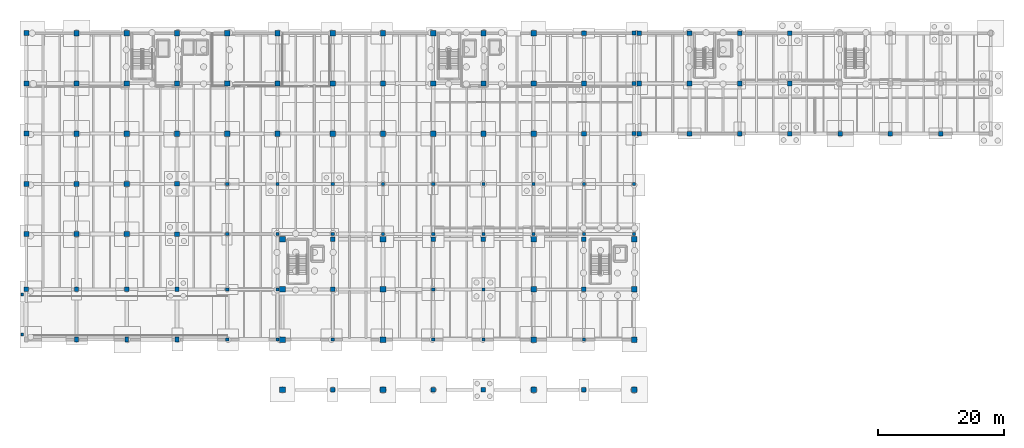
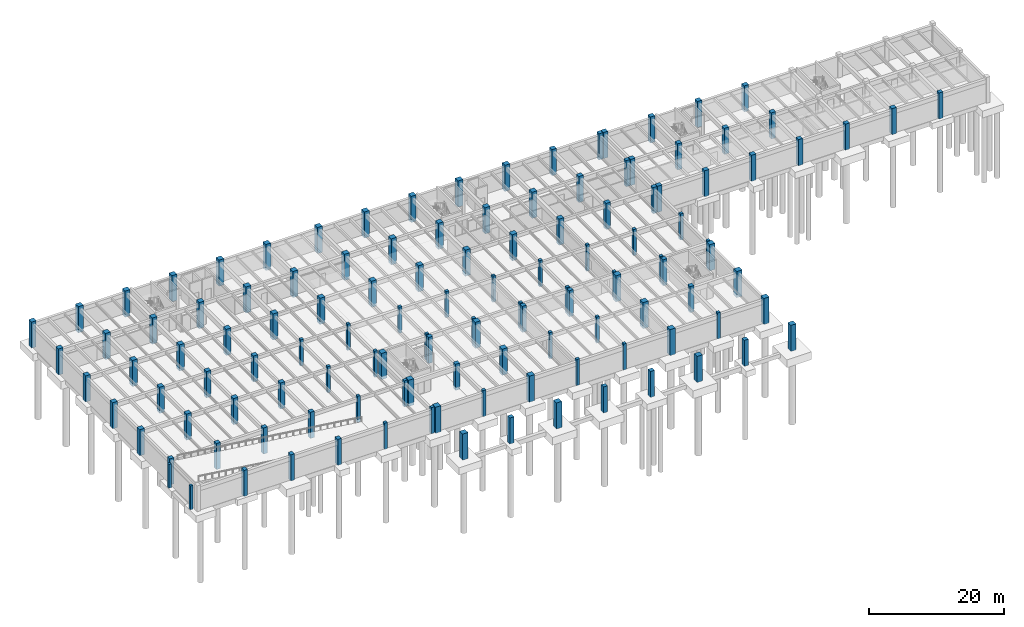
# One storey, part 7 of 25: 125 columns.
"""IFC4 building model written with IfcOpenShell, lengths in metres."""

from ifc_helpers import new_model, si_unit, direction, frame, origin, origin_2d, place, context, subcontext, project, spatial, rectangle, extrude, material, material_profile, profile_set, type_object, element, save


model = new_model("IFC4")

# Units and contexts
model_context = context("Model", 3, precision=1e-05, world=origin(), true_north=direction((0.0, 1.0)))
body_context = subcontext(model_context, "Body", "Model", "MODEL_VIEW")
ifc_project = project(units=[si_unit("LENGTHUNIT", "METRE"), si_unit("AREAUNIT", "SQUARE_METRE"), si_unit("VOLUMEUNIT", "CUBIC_METRE"), si_unit("PLANEANGLEUNIT", "RADIAN"), si_unit("MASSUNIT", "GRAM", prefix="KILO")], contexts=[model_context])

# Site, building, storey
site_placement = place(None, origin())
site = spatial("IfcSite", under=ifc_project, at=site_placement, CompositionType="ELEMENT")
building_placement = place(site_placement, origin())
building = spatial("IfcBuilding", under=site, at=building_placement, Name="Tlaxcora Railside Police Headquarters", CompositionType="ELEMENT")
storey_placement = place(building_placement, frame((0.0, 0.0, -4.199951171875)))
storey = spatial("IfcBuildingStorey", under=building, at=storey_placement, Name="B1", CompositionType="ELEMENT", Elevation=-4.199951171875)

# Columns
ifc_material = material(Name="Concrete C40/50", Category="concrete")
ifc_material_profile_1 = material_profile(ifc_material, rectangle(XDim=0.800048828125, YDim=0.800048828125, at=origin_2d()), Name="RC800X800")
ifc_profile_set_1 = profile_set([ifc_material_profile_1], Name="Concrete C40/50")
column_type_1 = type_object("IfcColumnType", Name="Structural Column CL-17", PredefinedType="COLUMN", material=ifc_profile_set_1)
for number, where, z_axis, x_axis, name in (
    (1, (5.199951171875, 60.800048828125, -0.52001953125), (0.0, 0.0, 1.0), (1.0, 0.0, 0.0), "B1 column (5.2, 60.8)"),
    (2, (5.199951171875, 68.800048828125, -0.52001953125), (0.0, 0.0, 1.0), (1.0, 0.0, 0.0), "B1 column (5.2, 68.8)"),
    (3, (5.199951171875, 76.800048828125, -0.52001953125), (0.0, 0.0, 1.0), (1.0, 0.0, 0.0), "B1 column (5.2, 76.8)"),
    (4, (5.199951171875, 84.800048828125, -0.52001953125), (0.0, 0.0, 1.0), (1.0, 0.0, 0.0), "B1 column (5.2, 84.8)"),
    (5, (5.199951171875, 92.800048828125, -0.52001953125), (0.0, 0.0, 1.0), (1.0, 0.0, 0.0), "B1 column (5.2, 92.8)"),
    (6, (13.199951171875, 60.800048828125, -0.52001953125), (0.0, 0.0, 1.0), (1.0, 0.0, 0.0), "B1 column (13.2, 60.8)"),
    (7, (13.199951171875, 68.800048828125, -0.52001953125), (0.0, 0.0, 1.0), (1.0, 0.0, 0.0), "B1 column (13.2, 68.8)"),
    (8, (21.199951171875, 60.800048828125, -0.52001953125), (0.0, 0.0, 1.0), (1.0, 0.0, 0.0), "B1 column (21.2, 60.8)"),
    (9, (21.199951171875, 68.800048828125, -0.52001953125), (0.0, 0.0, 1.0), (1.0, 0.0, 0.0), "B1 column (21.2, 68.8)"),
):
    element("IfcColumn", number, at=place(storey_placement, frame(where, z_axis=z_axis, x_axis=x_axis)), inside=storey, type_object=column_type_1, Name=name, PredefinedType="COLUMN", context=body_context, shape_type="SweptSolid", body=[
        extrude(rectangle(XDim=0.800048828125, YDim=0.800048828125, at=origin_2d()), origin(), (0.0, 0.0, 1.0), 4.719970703125),
    ])
ifc_material_profile_2 = material_profile(ifc_material, rectangle(XDim=0.75, YDim=0.75, at=origin_2d()), Name="RC750X750")
ifc_profile_set_2 = profile_set([ifc_material_profile_2], Name="Concrete C40/50")
column_type_2 = type_object("IfcColumnType", Name="Structural Column CL-18", PredefinedType="COLUMN", material=ifc_profile_set_2)
for number, where, z_axis, x_axis, name in (
    (10, (29.199951171875, 60.800048828125, -0.52001953125), (0.0, 0.0, 1.0), (1.0, 0.0, 0.0), "B1 column (29.2, 60.8)"),
    (11, (29.199951171875, 68.800048828125, -0.52001953125), (0.0, 0.0, 1.0), (1.0, 0.0, 0.0), "B1 column (29.2, 68.8)"),
    (12, (94.0, 76.800048828125, -0.52001953125), (0.0, 0.0, 1.0), (1.0, 0.0, 0.0), "B1 column (94.0, 76.8)"),
    (13, (94.0, 84.800048828125, -0.52001953125), (0.0, 0.0, 1.0), (1.0, 0.0, 0.0), "B1 column (94.0, 84.8)"),
    (14, (94.0, 92.800048828125, -0.52001953125), (0.0, 0.0, 1.0), (1.0, 0.0, 0.0), "B1 column (94.0, 92.8)"),
    (15, (102.800048828125, 76.800048828125, -0.52001953125), (0.0, 0.0, 1.0), (1.0, 0.0, 0.0), "B1 column (102.8, 76.8)"),
    (16, (102.800048828125, 84.800048828125, -0.52001953125), (0.0, 0.0, 1.0), (1.0, 0.0, 0.0), "B1 column (102.8, 84.8)"),
    (17, (102.800048828125, 92.800048828125, -0.52001953125), (0.0, 0.0, 1.0), (1.0, 0.0, 0.0), "B1 column (102.8, 92.8)"),
    (18, (110.800048828125, 76.800048828125, -0.52001953125), (0.0, 0.0, 1.0), (1.0, 0.0, 0.0), "B1 column (110.8, 76.8)"),
    (19, (110.800048828125, 84.800048828125, -0.52001953125), (0.0, 0.0, 1.0), (1.0, 0.0, 0.0), "B1 column (110.8, 84.8)"),
    (20, (110.800048828125, 92.800048828125, -0.52001953125), (0.0, 0.0, 1.0), (1.0, 0.0, 0.0), "B1 column (110.8, 92.8)"),
    (21, (118.800048828125, 76.800048828125, -0.52001953125), (0.0, 0.0, 1.0), (1.0, 0.0, 0.0), "B1 column (118.8, 76.8)"),
    (22, (118.800048828125, 84.800048828125, -0.52001953125), (0.0, 0.0, 1.0), (1.0, 0.0, 0.0), "B1 column (118.8, 84.8)"),
    (23, (118.800048828125, 92.800048828125, -0.52001953125), (0.0, 0.0, 1.0), (1.0, 0.0, 0.0), "B1 column (118.8, 92.8)"),
    (24, (126.800048828125, 76.800048828125, -0.52001953125), (0.0, 0.0, 1.0), (1.0, 0.0, 0.0), "B1 column (126.8, 76.8)"),
    (25, (126.800048828125, 84.800048828125, -0.52001953125), (0.0, 0.0, 1.0), (1.0, 0.0, 0.0), "B1 column (126.8, 84.8)"),
    (26, (126.800048828125, 92.800048828125, -0.52001953125), (0.0, 0.0, 1.0), (1.0, 0.0, 0.0), "B1 column (126.8, 92.8)"),
    (27, (134.800048828125, 76.800048828125, -0.52001953125), (0.0, 0.0, 1.0), (1.0, 0.0, 0.0), "B1 column (134.8, 76.8)"),
    (28, (142.800048828125, 76.800048828125, -0.52001953125), (0.0, 0.0, 1.0), (1.0, 0.0, 0.0), "B1 column (142.8, 76.8)"),
):
    element("IfcColumn", number, at=place(storey_placement, frame(where, z_axis=z_axis, x_axis=x_axis)), inside=storey, type_object=column_type_2, Name=name, PredefinedType="COLUMN", context=body_context, shape_type="SweptSolid", body=[
        extrude(rectangle(XDim=0.75, YDim=0.75, at=origin_2d()), origin(), (0.0, 0.0, 1.0), 4.719970703125),
    ])
ifc_material_profile_3 = material_profile(ifc_material, rectangle(XDim=0.699951171875, YDim=0.699951171875, at=origin_2d()), Name="RC700X700")
ifc_profile_set_3 = profile_set([ifc_material_profile_3], Name="Concrete C40/50")
column_type_3 = type_object("IfcColumnType", Name="Structural Column CL-43", PredefinedType="COLUMN", material=ifc_profile_set_3)
for number, where, z_axis, x_axis, name in (
    (29, (5.199951171875, 52.0, -0.52001953125), (0.0, 0.0, 1.0), (1.0, 0.0, 0.0), "B1 column (5.2, 52.0)"),
    (30, (13.199951171875, 52.0, -0.52001953125), (0.0, 0.0, 1.0), (1.0, 0.0, 0.0), "B1 column (13.2, 52.0)"),
    (31, (21.199951171875, 52.0, -0.52001953125), (0.0, 0.0, 1.0), (1.0, 0.0, 0.0), "B1 column (21.2, 52.0)"),
    (32, (29.199951171875, 52.0, -0.52001953125), (0.0, 0.0, 1.0), (1.0, 0.0, 0.0), "B1 column (29.2, 52.0)"),
    (33, (54.0, 36.0, -0.52001953125), (0.0, 0.0, 1.0), (1.0, 0.0, 0.0), "B1 column (54.0, 36.0)"),
    (34, (54.0, 52.0, -0.52001953125), (0.0, 0.0, 1.0), (1.0, 0.0, 0.0), "B1 column (54.0, 52.0)"),
    (35, (54.0, 60.0, -0.52001953125), (0.0, 0.0, 1.0), (1.0, 0.0, 0.0), "B1 column (54.0, 60.0)"),
    (36, (70.0, 36.0, -0.52001953125), (0.0, 0.0, 1.0), (1.0, 0.0, 0.0), "B1 column (70.0, 36.0)"),
    (37, (70.0, 60.0, -0.52001953125), (0.0, 0.0, 1.0), (1.0, 0.0, 0.0), "B1 column (70.0, 60.0)"),
    (38, (78.0, 36.0, -0.52001953125), (0.0, 0.0, 1.0), (1.0, 0.0, 0.0), "B1 column (78.0, 36.0)"),
    (39, (78.0, 60.0, -0.52001953125), (0.0, 0.0, 1.0), (1.0, 0.0, 0.0), "B1 column (78.0, 60.0)"),
    (40, (94.0, 36.0, -0.52001953125), (0.0, 0.0, 1.0), (1.0, 0.0, 0.0), "B1 column (94.0, 36.0)"),
    (41, (94.0, 52.0, -0.52001953125), (0.0, 0.0, 1.0), (1.0, 0.0, 0.0), "B1 column (94.0, 52.0)"),
    (42, (94.0, 60.0, -0.52001953125), (0.0, 0.0, 1.0), (1.0, 0.0, 0.0), "B1 column (94.0, 60.0)"),
    (43, (150.800048828125, 76.800048828125, -0.52001953125), (0.0, 0.0, 1.0), (1.0, 0.0, 0.0), "B1 column (150.8, 76.8)"),
):
    element("IfcColumn", number, at=place(storey_placement, frame(where, z_axis=z_axis, x_axis=x_axis)), inside=storey, type_object=column_type_3, Name=name, PredefinedType="COLUMN", context=body_context, shape_type="SweptSolid", body=[
        extrude(rectangle(XDim=0.699951171875, YDim=0.699951171875, at=origin_2d()), origin(), (0.0, 0.0, 1.0), 4.719970703125),
    ])
ifc_material_profile_4 = material_profile(ifc_material, rectangle(XDim=0.89990234375, YDim=0.89990234375, at=origin_2d()), Name="RC900X900")
ifc_profile_set_4 = profile_set([ifc_material_profile_4], Name="Concrete C40/50")
column_type_4 = type_object("IfcColumnType", Name="Structural Column CL-45", PredefinedType="COLUMN", material=ifc_profile_set_4)
for number, where, z_axis, x_axis, name in (
    (44, (46.0, 36.0, -0.52001953125), (0.0, 0.0, 1.0), (1.0, 0.0, 0.0), "B1 column (46.0, 36.0)"),
    (45, (46.0, 44.0, -0.52001953125), (0.0, 0.0, 1.0), (1.0, 0.0, 0.0), "B1 column (46.0, 44.0)"),
    (46, (46.0, 52.0, -0.52001953125), (0.0, 0.0, 1.0), (1.0, 0.0, 0.0), "B1 column (46.0, 52.0)"),
    (47, (46.0, 60.0, -0.52001953125), (0.0, 0.0, 1.0), (1.0, 0.0, 0.0), "B1 column (46.0, 60.0)"),
    (48, (62.0, 36.0, -0.52001953125), (0.0, 0.0, 1.0), (1.0, 0.0, 0.0), "B1 column (62.0, 36.0)"),
    (49, (62.0, 44.0, -0.52001953125), (0.0, 0.0, 1.0), (1.0, 0.0, 0.0), "B1 column (62.0, 44.0)"),
    (50, (62.0, 52.0, -0.52001953125), (0.0, 0.0, 1.0), (1.0, 0.0, 0.0), "B1 column (62.0, 52.0)"),
    (51, (62.0, 60.0, -0.52001953125), (0.0, 0.0, 1.0), (1.0, 0.0, 0.0), "B1 column (62.0, 60.0)"),
    (52, (86.0, 36.0, -0.52001953125), (0.0, 0.0, 1.0), (1.0, 0.0, 0.0), "B1 column (86.0, 36.0)"),
    (53, (86.0, 44.0, -0.52001953125), (0.0, 0.0, 1.0), (1.0, 0.0, 0.0), "B1 column (86.0, 44.0)"),
    (54, (86.0, 52.0, -0.52001953125), (0.0, 0.0, 1.0), (1.0, 0.0, 0.0), "B1 column (86.0, 52.0)"),
    (55, (86.0, 60.0, -0.52001953125), (0.0, 0.0, 1.0), (1.0, 0.0, 0.0), "B1 column (86.0, 60.0)"),
    (56, (102.0, 36.0, -0.52001953125), (0.0, 0.0, 1.0), (1.0, 0.0, 0.0), "B1 column (102.0, 36.0)"),
    (57, (102.0, 44.0, -0.52001953125), (0.0, 0.0, 1.0), (1.0, 0.0, 0.0), "B1 column (102.0, 44.0)"),
    (58, (102.0, 52.0, -0.52001953125), (0.0, 0.0, 1.0), (1.0, 0.0, 0.0), "B1 column (102.0, 52.0)"),
    (59, (102.0, 60.0, -0.52001953125), (0.0, 0.0, 1.0), (1.0, 0.0, 0.0), "B1 column (102.0, 60.0)"),
):
    element("IfcColumn", number, at=place(storey_placement, frame(where, z_axis=z_axis, x_axis=x_axis)), inside=storey, type_object=column_type_4, Name=name, PredefinedType="COLUMN", context=body_context, shape_type="SweptSolid", body=[
        extrude(rectangle(XDim=0.89990234375, YDim=0.89990234375, at=origin_2d()), origin(), (0.0, 0.0, 1.0), 4.719970703125),
    ])
ifc_material_profile_5 = material_profile(ifc_material, rectangle(XDim=0.5, YDim=0.5, at=origin_2d()), Name="RC500X500")
ifc_profile_set_5 = profile_set([ifc_material_profile_5], Name="Concrete C40/50")
column_type_5 = type_object("IfcColumnType", Name="Structural Column CL-55", PredefinedType="COLUMN", material=ifc_profile_set_5)
for number, where, z_axis, x_axis, name in (
    (60, (37.199951171875, 44.0, -0.52001953125), (0.0, 0.0, 1.0), (1.0, 0.0, 0.0), "B1 column (37.2, 44.0)"),
    (61, (37.199951171875, 52.0, -0.52001953125), (0.0, 0.0, 1.0), (1.0, 0.0, 0.0), "B1 column (37.2, 52.0)"),
    (62, (37.199951171875, 60.800048828125, -0.52001953125), (0.0, 0.0, 1.0), (1.0, 0.0, 0.0), "B1 column (37.2, 60.8)"),
    (63, (37.199951171875, 68.800048828125, -0.52001953125), (0.0, 0.0, 1.0), (1.0, 0.0, 0.0), "B1 column (37.2, 68.8)"),
    (64, (45.199951171875, 44.0, -0.52001953125), (0.0, 0.0, 1.0), (1.0, 0.0, 0.0), "B1 column (45.2, 44.0)"),
    (65, (45.199951171875, 52.0, -0.52001953125), (0.0, 0.0, 1.0), (1.0, 0.0, 0.0), "B1 column (45.2, 52.0)"),
    (66, (45.199951171875, 60.800048828125, -0.52001953125), (0.0, 0.0, 1.0), (1.0, 0.0, 0.0), "B1 column (45.2, 60.8)"),
    (67, (45.199951171875, 68.800048828125, -0.52001953125), (0.0, 0.0, 1.0), (1.0, 0.0, 0.0), "B1 column (45.2, 68.8)"),
    (68, (54.0, 44.0, -0.52001953125), (0.0, 0.0, 1.0), (1.0, 0.0, 0.0), "B1 column (54.0, 44.0)"),
    (69, (54.0, 60.800048828125, -0.52001953125), (0.0, 0.0, 1.0), (1.0, 0.0, 0.0), "B1 column (54.0, 60.8)"),
    (70, (54.0, 68.800048828125, -0.52001953125), (0.0, 0.0, 1.0), (1.0, 0.0, 0.0), "B1 column (54.0, 68.8)"),
    (71, (62.0, 60.800048828125, -0.52001953125), (0.0, 0.0, 1.0), (1.0, 0.0, 0.0), "B1 column (62.0, 60.8)"),
    (72, (62.0, 68.800048828125, -0.52001953125), (0.0, 0.0, 1.0), (1.0, 0.0, 0.0), "B1 column (62.0, 68.8)"),
    (73, (70.0, 44.0, -0.52001953125), (0.0, 0.0, 1.0), (1.0, 0.0, 0.0), "B1 column (70.0, 44.0)"),
    (74, (70.0, 52.0, -0.52001953125), (0.0, 0.0, 1.0), (1.0, 0.0, 0.0), "B1 column (70.0, 52.0)"),
    (75, (70.0, 60.800048828125, -0.52001953125), (0.0, 0.0, 1.0), (1.0, 0.0, 0.0), "B1 column (70.0, 60.8)"),
    (76, (70.0, 68.800048828125, -0.52001953125), (0.0, 0.0, 1.0), (1.0, 0.0, 0.0), "B1 column (70.0, 68.8)"),
    (77, (78.0, 44.0, -0.52001953125), (0.0, 0.0, 1.0), (1.0, 0.0, 0.0), "B1 column (78.0, 44.0)"),
    (78, (78.0, 52.0, -0.52001953125), (0.0, 0.0, 1.0), (1.0, 0.0, 0.0), "B1 column (78.0, 52.0)"),
    (79, (78.0, 60.800048828125, -0.52001953125), (0.0, 0.0, 1.0), (1.0, 0.0, 0.0), "B1 column (78.0, 60.8)"),
    (80, (78.0, 68.800048828125, -0.52001953125), (0.0, 0.0, 1.0), (1.0, 0.0, 0.0), "B1 column (78.0, 68.8)"),
    (81, (86.0, 60.800048828125, -0.52001953125), (0.0, 0.0, 1.0), (1.0, 0.0, 0.0), "B1 column (86.0, 60.8)"),
    (82, (86.0, 68.800048828125, -0.52001953125), (0.0, 0.0, 1.0), (1.0, 0.0, 0.0), "B1 column (86.0, 68.8)"),
    (83, (94.0, 44.0, -0.52001953125), (0.0, 0.0, 1.0), (1.0, 0.0, 0.0), "B1 column (94.0, 44.0)"),
    (84, (94.0, 60.800048828125, -0.52001953125), (0.0, 0.0, 1.0), (1.0, 0.0, 0.0), "B1 column (94.0, 60.8)"),
    (85, (94.0, 68.800048828125, -0.52001953125), (0.0, 0.0, 1.0), (1.0, 0.0, 0.0), "B1 column (94.0, 68.8)"),
    (86, (102.0, 60.800048828125, -0.52001953125), (0.0, 0.0, 1.0), (1.0, 0.0, 0.0), "B1 column (102.0, 60.8)"),
    (87, (102.0, 68.800048828125, -0.52001953125), (0.0, 0.0, 1.0), (1.0, 0.0, 0.0), "B1 column (102.0, 68.8)"),
):
    element("IfcColumn", number, at=place(storey_placement, frame(where, z_axis=z_axis, x_axis=x_axis)), inside=storey, type_object=column_type_5, Name=name, PredefinedType="COLUMN", context=body_context, shape_type="SweptSolid", body=[
        extrude(rectangle(XDim=0.5, YDim=0.5, at=origin_2d()), origin(), (0.0, 0.0, 1.0), 4.719970703125),
    ])
ifc_material_profile_6 = material_profile(ifc_material, rectangle(XDim=0.449951171875, YDim=0.449951171875, at=origin_2d()), Name="RC450X450")
ifc_profile_set_6 = profile_set([ifc_material_profile_6], Name="Concrete C40/50")
column_type_6 = type_object("IfcColumnType", Name="Structural Column CL-56", PredefinedType="COLUMN", material=ifc_profile_set_6)
for number, where, z_axis, x_axis, name in (
    (88, (4.550048828125, 44.800048828125, -0.52001953125), (0.0, 0.0, 1.0), (1.0, 0.0, 0.0), "Ramp apron support column 1"),
    (89, (4.550048828125, 51.199951171875, -0.52001953125), (0.0, 0.0, 1.0), (1.0, 0.0, 0.0), "Ramp apron support column 2"),
):
    element("IfcColumn", number, at=place(storey_placement, frame(where, z_axis=z_axis, x_axis=x_axis)), inside=storey, type_object=column_type_6, Name=name, PredefinedType="COLUMN", context=body_context, shape_type="SweptSolid", body=[
        extrude(rectangle(XDim=0.449951171875, YDim=0.449951171875, at=origin_2d()), origin(), (0.0, 0.0, 1.0), 4.320068359375),
    ])
ifc_material_profile_7 = material_profile(ifc_material, rectangle(XDim=0.64990234375, YDim=0.64990234375, at=origin_2d()), Name="RC650X650")
ifc_profile_set_7 = profile_set([ifc_material_profile_7], Name="Concrete C40/50")
column_type_7 = type_object("IfcColumnType", Name="Structural Column CL-76", PredefinedType="COLUMN", material=ifc_profile_set_7)
for number, where, z_axis, x_axis, name in (
    (90, (102.0, 76.800048828125, -0.52001953125), (0.0, 0.0, 1.0), (1.0, 0.0, 0.0), "B1 column (102.0, 76.8)"),
    (91, (102.0, 84.800048828125, -0.52001953125), (0.0, 0.0, 1.0), (1.0, 0.0, 0.0), "B1 column (102.0, 84.8)"),
    (92, (102.0, 92.800048828125, -0.52001953125), (0.0, 0.0, 1.0), (1.0, 0.0, 0.0), "B1 column (102.0, 92.8)"),
):
    element("IfcColumn", number, at=place(storey_placement, frame(where, z_axis=z_axis, x_axis=x_axis)), inside=storey, type_object=column_type_7, Name=name, PredefinedType="COLUMN", context=body_context, shape_type="SweptSolid", body=[
        extrude(rectangle(XDim=0.64990234375, YDim=0.64990234375, at=origin_2d()), origin(), (0.0, 0.0, 1.0), 4.719970703125),
    ])
ifc_material_profile_8 = material_profile(ifc_material, rectangle(XDim=0.85009765625, YDim=0.85009765625, at=origin_2d()), Name="RC850X850")
ifc_profile_set_8 = profile_set([ifc_material_profile_8], Name="Concrete C40/50")
column_type_8 = type_object("IfcColumnType", Name="Structural Column CL-77", PredefinedType="COLUMN", material=ifc_profile_set_8)
for number, where, z_axis, x_axis, name in (
    (93, (13.199951171875, 76.800048828125, -0.52001953125), (0.0, 0.0, 1.0), (1.0, 0.0, 0.0), "B1 column (13.2, 76.8)"),
    (94, (13.199951171875, 84.800048828125, -0.52001953125), (0.0, 0.0, 1.0), (1.0, 0.0, 0.0), "B1 column (13.2, 84.8)"),
    (95, (13.199951171875, 92.800048828125, -0.52001953125), (0.0, 0.0, 1.0), (1.0, 0.0, 0.0), "B1 column (13.2, 92.8)"),
    (96, (21.199951171875, 76.800048828125, -0.52001953125), (0.0, 0.0, 1.0), (1.0, 0.0, 0.0), "B1 column (21.2, 76.8)"),
    (97, (21.199951171875, 84.800048828125, -0.52001953125), (0.0, 0.0, 1.0), (1.0, 0.0, 0.0), "B1 column (21.2, 84.8)"),
    (98, (21.199951171875, 92.800048828125, -0.52001953125), (0.0, 0.0, 1.0), (1.0, 0.0, 0.0), "B1 column (21.2, 92.8)"),
    (99, (29.199951171875, 76.800048828125, -0.52001953125), (0.0, 0.0, 1.0), (1.0, 0.0, 0.0), "B1 column (29.2, 76.8)"),
    (100, (29.199951171875, 84.800048828125, -0.52001953125), (0.0, 0.0, 1.0), (1.0, 0.0, 0.0), "B1 column (29.2, 84.8)"),
    (101, (29.199951171875, 92.800048828125, -0.52001953125), (0.0, 0.0, 1.0), (1.0, 0.0, 0.0), "B1 column (29.2, 92.8)"),
    (102, (37.199951171875, 76.800048828125, -0.52001953125), (0.0, 0.0, 1.0), (1.0, 0.0, 0.0), "B1 column (37.2, 76.8)"),
    (103, (37.199951171875, 84.800048828125, -0.52001953125), (0.0, 0.0, 1.0), (1.0, 0.0, 0.0), "B1 column (37.2, 84.8)"),
    (104, (37.199951171875, 92.800048828125, -0.52001953125), (0.0, 0.0, 1.0), (1.0, 0.0, 0.0), "B1 column (37.2, 92.8)"),
    (105, (45.199951171875, 76.800048828125, -0.52001953125), (0.0, 0.0, 1.0), (1.0, 0.0, 0.0), "B1 column (45.2, 76.8)"),
    (106, (45.199951171875, 84.800048828125, -0.52001953125), (0.0, 0.0, 1.0), (1.0, 0.0, 0.0), "B1 column (45.2, 84.8)"),
    (107, (45.199951171875, 92.800048828125, -0.52001953125), (0.0, 0.0, 1.0), (1.0, 0.0, 0.0), "B1 column (45.2, 92.8)"),
    (108, (54.0, 76.800048828125, -0.52001953125), (0.0, 0.0, 1.0), (1.0, 0.0, 0.0), "B1 column (54.0, 76.8)"),
    (109, (54.0, 84.800048828125, -0.52001953125), (0.0, 0.0, 1.0), (1.0, 0.0, 0.0), "B1 column (54.0, 84.8)"),
    (110, (54.0, 92.800048828125, -0.52001953125), (0.0, 0.0, 1.0), (1.0, 0.0, 0.0), "B1 column (54.0, 92.8)"),
    (111, (62.0, 76.800048828125, -0.52001953125), (0.0, 0.0, 1.0), (1.0, 0.0, 0.0), "B1 column (62.0, 76.8)"),
    (112, (62.0, 84.800048828125, -0.52001953125), (0.0, 0.0, 1.0), (1.0, 0.0, 0.0), "B1 column (62.0, 84.8)"),
    (113, (62.0, 92.800048828125, -0.52001953125), (0.0, 0.0, 1.0), (1.0, 0.0, 0.0), "B1 column (62.0, 92.8)"),
    (114, (70.0, 76.800048828125, -0.52001953125), (0.0, 0.0, 1.0), (1.0, 0.0, 0.0), "B1 column (70.0, 76.8)"),
    (115, (70.0, 84.800048828125, -0.52001953125), (0.0, 0.0, 1.0), (1.0, 0.0, 0.0), "B1 column (70.0, 84.8)"),
    (116, (70.0, 92.800048828125, -0.52001953125), (0.0, 0.0, 1.0), (1.0, 0.0, 0.0), "B1 column (70.0, 92.8)"),
    (117, (78.0, 76.800048828125, -0.52001953125), (0.0, 0.0, 1.0), (1.0, 0.0, 0.0), "B1 column (78.0, 76.8)"),
    (118, (78.0, 84.800048828125, -0.52001953125), (0.0, 0.0, 1.0), (1.0, 0.0, 0.0), "B1 column (78.0, 84.8)"),
    (119, (78.0, 92.800048828125, -0.52001953125), (0.0, 0.0, 1.0), (1.0, 0.0, 0.0), "B1 column (78.0, 92.8)"),
    (120, (86.0, 76.800048828125, -0.52001953125), (0.0, 0.0, 1.0), (1.0, 0.0, 0.0), "B1 column (86.0, 76.8)"),
    (121, (86.0, 84.800048828125, -0.52001953125), (0.0, 0.0, 1.0), (1.0, 0.0, 0.0), "B1 column (86.0, 84.8)"),
    (122, (86.0, 92.800048828125, -0.52001953125), (0.0, 0.0, 1.0), (1.0, 0.0, 0.0), "B1 column (86.0, 92.8)"),
):
    element("IfcColumn", number, at=place(storey_placement, frame(where, z_axis=z_axis, x_axis=x_axis)), inside=storey, type_object=column_type_8, Name=name, PredefinedType="COLUMN", context=body_context, shape_type="SweptSolid", body=[
        extrude(rectangle(XDim=0.85009765625, YDim=0.85009765625, at=origin_2d()), origin(), (0.0, 0.0, 1.0), 4.719970703125),
    ])
ifc_material_profile_9 = material_profile(ifc_material, rectangle(XDim=0.60009765625, YDim=0.800048828125, at=origin_2d()), Name="RC600X800")
ifc_profile_set_9 = profile_set([ifc_material_profile_9], Name="Concrete C40/50")
column_type_9 = type_object("IfcColumnType", Name="Structural Column CL-90", PredefinedType="COLUMN", material=ifc_profile_set_9)
for number, where, z_axis, x_axis, name in (
    (123, (13.199951171875, 44.0, -0.52001953125), (0.0, 0.0, 1.0), (1.0, 0.0, 0.0), "B1 column (13.2, 44.0)"),
    (124, (21.199951171875, 44.0, -0.52001953125), (0.0, 0.0, 1.0), (1.0, 0.0, 0.0), "B1 column (21.2, 44.0)"),
    (125, (29.199951171875, 44.0, -0.52001953125), (0.0, 0.0, 1.0), (1.0, 0.0, 0.0), "B1 column (29.2, 44.0)"),
):
    element("IfcColumn", number, at=place(storey_placement, frame(where, z_axis=z_axis, x_axis=x_axis)), inside=storey, type_object=column_type_9, Name=name, PredefinedType="COLUMN", context=body_context, shape_type="SweptSolid", body=[
        extrude(rectangle(XDim=0.60009765625, YDim=0.800048828125, at=origin_2d()), origin(), (0.0, 0.0, 1.0), 4.719970703125),
    ])

save(model, "model.ifc")
